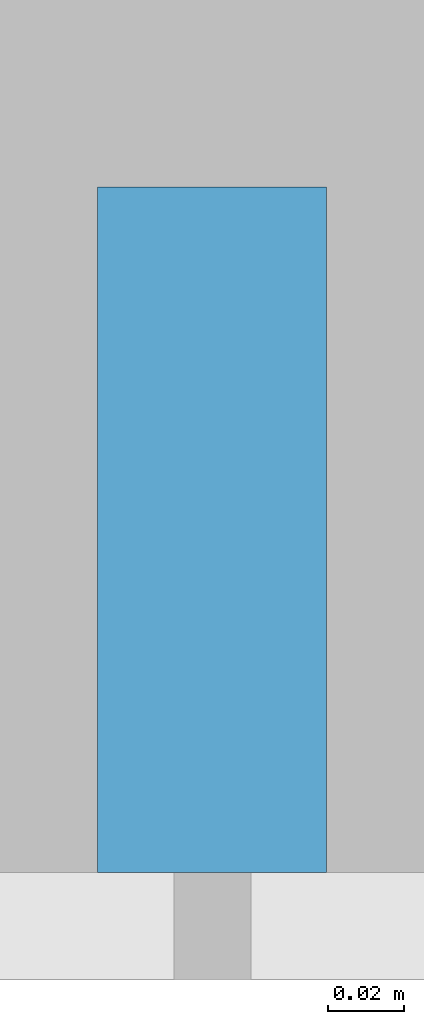
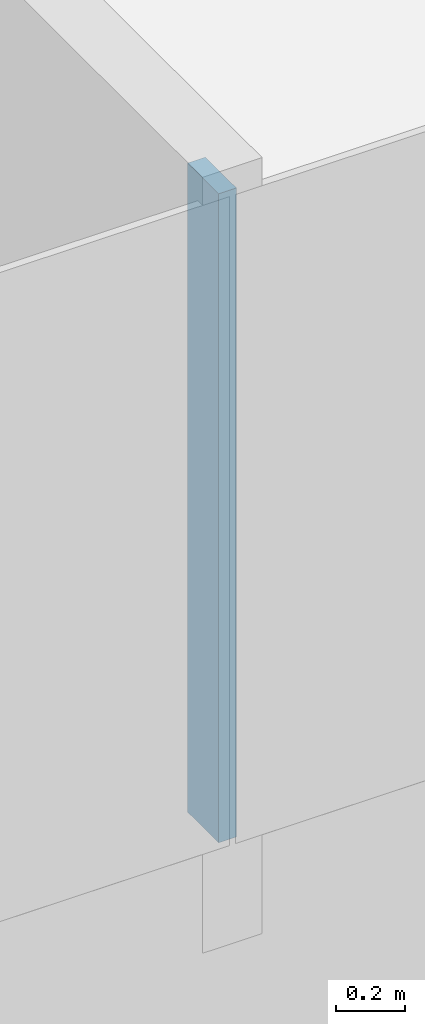
# One storey, part 5 of 26: 1 member, 1 element without a shape of its own.
"""IFC4 building model written with IfcOpenShell, lengths in metres."""

import ifcopenshell
import ifcopenshell.guid

model = None  # the IFC model being written
_history = None  # IfcOwnerHistory: only IFC2X3 demands one
_inside = {}  # id of a spatial element -> (the spatial element, [elements in it])
_under = {}  # id of a project, library or spatial element -> (it, [spatial elements below it])
_declared = {}  # id of a project -> (the project, [libraries it declares])
_typed = {}  # id of a type object -> (the type object, [elements of that type])
_made_of = {}  # id of a material, layer set ... -> (it, [elements and type objects made of it])


def new_model(schema):
    """Start an empty IFC model of exactly this schema.

    Asked for "IFC4X3", IfcOpenShell would pick the latest addendum, in which some entities
    have other attributes; the version numbers below select the first issue.
    IFC2X3 requires an IfcOwnerHistory on every rooted entity: one is made here for all.
    """
    global model, _history
    if schema == "IFC4X3":
        model = ifcopenshell.file(schema_version=(4, 3, 0, 0))
    else:
        model = ifcopenshell.file(schema=schema)
    _inside.clear()
    _under.clear()
    _declared.clear()
    _typed.clear()
    _made_of.clear()
    _history = None
    if model.schema == "IFC2X3":
        org = make("IfcOrganization", Name="unknown")
        user = make(
            "IfcPersonAndOrganization",
            ThePerson=make("IfcPerson", FamilyName="unknown"),
            TheOrganization=org,
        )
        app = make(
            "IfcApplication",
            ApplicationDeveloper=org,
            Version="unknown",
            ApplicationFullName="unknown",
            ApplicationIdentifier="unknown",
        )
        _history = make(
            "IfcOwnerHistory",
            OwningUser=user,
            OwningApplication=app,
            ChangeAction="ADDED",
            CreationDate=0,
        )
    return model


def make(cls, **values):
    """One entity of the class cls with the attributes given. An attribute that is None is left unset."""
    return model.create_entity(
        cls, **{name: value for name, value in values.items() if value is not None}
    )


def rooted(cls, **values):
    """An entity with a GlobalId (a new one), such as an element, a storey or a relation."""
    return make(cls, GlobalId=ifcopenshell.guid.new(), OwnerHistory=_history, **values)


def si_unit(unit_type, name, prefix=None):
    """IfcSIUnit, for example si_unit("LENGTHUNIT", "METRE", prefix="MILLI")."""
    return make("IfcSIUnit", UnitType=unit_type, Prefix=prefix, Name=name)


def assignment(units):
    """IfcUnitAssignment: the units of a project."""
    return None if units is None else make("IfcUnitAssignment", Units=units)


def point(xyz):
    """IfcCartesianPoint."""
    return None if xyz is None else make("IfcCartesianPoint", Coordinates=xyz)


def direction(xyz):
    """IfcDirection."""
    return None if xyz is None else make("IfcDirection", DirectionRatios=xyz)


def frame(location, z_axis=None, x_axis=None):
    """IfcAxis2Placement3D, a coordinate frame: its origin and axes. An axis left out is left unset."""
    return make(
        "IfcAxis2Placement3D",
        Location=point(location),
        Axis=direction(z_axis),
        RefDirection=direction(x_axis),
    )


def frame_2d(location, x_axis=None):
    """IfcAxis2Placement2D, a coordinate frame in the plane: its origin and x axis."""
    return make(
        "IfcAxis2Placement2D", Location=point(location), RefDirection=direction(x_axis)
    )


def origin():
    """The frame at (0, 0, 0) with its axes left unset."""
    return frame((0.0, 0.0, 0.0))


def origin_2d():
    """The frame at (0, 0) in the plane with its x axis left unset."""
    return frame_2d((0.0, 0.0))


def place(relative_to, where):
    """IfcLocalPlacement: puts the frame where relative to a parent placement (None: the world)."""
    return make(
        "IfcLocalPlacement", PlacementRelTo=relative_to, RelativePlacement=where
    )


def context(
    kind, dimensions, precision=None, world=None, true_north=None, identifier=None
):
    """IfcGeometricRepresentationContext, for example the 3D "Model" context."""
    return make(
        "IfcGeometricRepresentationContext",
        ContextIdentifier=identifier,
        ContextType=kind,
        CoordinateSpaceDimension=dimensions,
        Precision=precision,
        WorldCoordinateSystem=world,
        TrueNorth=true_north,
    )


def subcontext(parent, identifier, kind, view, scale=None):
    """IfcGeometricRepresentationSubContext, for example "Body" below "Model"."""
    return make(
        "IfcGeometricRepresentationSubContext",
        ContextIdentifier=identifier,
        ContextType=kind,
        ParentContext=parent,
        TargetScale=scale,
        TargetView=view,
    )


def project(units=None, contexts=None):
    """IfcProject with its units and contexts."""
    return rooted(
        "IfcProject",
        Name="project",
        RepresentationContexts=contexts,
        UnitsInContext=assignment(units),
    )


def spatial(cls, under=None, at=None, **own):
    """A site, building, storey or space (cls), placed at a placement, below another one or the project."""
    s = rooted(cls, ObjectPlacement=at, **own)
    if under is not None:
        _under.setdefault(under.id(), (under, []))[1].append(s)
    return s


def profile(cls, at=None, kind="AREA", **sizes):
    """A parametric profile (cls). Its sizes go by their IFC names, for example OverallWidth=200.0."""
    return make(cls, ProfileType=kind, Position=at, **sizes)


def rectangle(**sizes):
    """IfcRectangleProfileDef."""
    return profile("IfcRectangleProfileDef", **sizes)


def extrude(swept, where, along, depth):
    """IfcExtrudedAreaSolid: the profile swept, set in the frame where, extruded along a direction by depth."""
    return make(
        "IfcExtrudedAreaSolid",
        SweptArea=swept,
        Position=where,
        ExtrudedDirection=direction(along),
        Depth=depth,
    )


def shape(context_of_items, identifier, shape_type, items):
    """IfcShapeRepresentation: the items that make up one representation, for example the "Body"."""
    return make(
        "IfcShapeRepresentation",
        ContextOfItems=context_of_items,
        RepresentationIdentifier=identifier,
        RepresentationType=shape_type,
        Items=items,
    )


def material(Name=None, Category=None):
    """IfcMaterial."""
    return make("IfcMaterial", Name=Name, Category=Category)


def layer(
    of_material, thickness, ventilated=None, Name=None, Category=None, Priority=None
):
    """IfcMaterialLayer: one layer of a wall or slab, of a material (None: an air gap)."""
    return make(
        "IfcMaterialLayer",
        Material=of_material,
        LayerThickness=thickness,
        IsVentilated=ventilated,
        Name=Name,
        Category=Category,
        Priority=Priority,
    )


def layer_set(layers, Name=None):
    """IfcMaterialLayerSet."""
    return make("IfcMaterialLayerSet", MaterialLayers=layers, LayerSetName=Name)


def material_profile(
    of_material, cross_section, Name=None, Category=None, Priority=None
):
    """IfcMaterialProfile: a cross section and its material."""
    return make(
        "IfcMaterialProfile",
        Name=Name,
        Material=of_material,
        Profile=cross_section,
        Priority=Priority,
        Category=Category,
    )


def profile_set(profiles, Name=None, composite=None):
    """IfcMaterialProfileSet."""
    return make(
        "IfcMaterialProfileSet",
        Name=Name,
        MaterialProfiles=profiles,
        CompositeProfile=composite,
    )


def made_of(thing, what):
    """Note that an element or type object is made of a material, layer set ...; save() writes the relation."""
    if what is not None:
        _made_of.setdefault(what.id(), (what, []))[1].append(thing)
    return thing


def type_object(cls, material=None, **own):
    """A type object (cls), such as IfcWallType, which elements share."""
    return made_of(rooted(cls, **own), material)


def element(
    cls,
    number,
    at=None,
    inside=None,
    cuts=None,
    type_object=None,
    material=None,
    context=None,
    identifier="Body",
    shape_type=None,
    held_by="IfcProductDefinitionShape",
    body=None,
    shapes=None,
    **own,
):
    """One element of the class cls, such as IfcWall. Its Tag is "e" and its number.

    at: its placement. inside: the storey or other place that contains it. cuts: it is an
    opening in that element (IfcRelVoidsElement). A single representation is given by context,
    identifier, shape_type and body (its items); several are given by shapes. held_by: the class
    of the entity that holds the representations. save() writes the other relations.
    """
    e = rooted(cls, Tag="e%d" % number, ObjectPlacement=at, **own)
    if body is not None:
        shapes = [shape(context, identifier, shape_type, body)]
    if shapes is not None:
        e.Representation = make(held_by, Representations=shapes)
    if inside is not None:
        _inside.setdefault(inside.id(), (inside, []))[1].append(e)
    if cuts is not None:
        rooted(
            "IfcRelVoidsElement", RelatingBuildingElement=cuts, RelatedOpeningElement=e
        )
    if type_object is not None:
        _typed.setdefault(type_object.id(), (type_object, []))[1].append(e)
    return made_of(e, material)


def aggregate(whole, parts):
    """IfcRelAggregates: a whole, such as a stair, and the parts it consists of."""
    return rooted("IfcRelAggregates", RelatingObject=whole, RelatedObjects=parts)


def save(model, path):
    """Write the relations noted so far, then the file.

    IfcRelAggregates (storeys below a building ...), IfcRelContainedInSpatialStructure (elements
    in a storey), IfcRelDefinesByType, IfcRelAssociatesMaterial and IfcRelDeclares: one each for
    every whole, place, type object, material and project.
    """
    for whole, parts in _under.values():
        aggregate(whole, parts)
    for where, things in _inside.values():
        rooted(
            "IfcRelContainedInSpatialStructure",
            RelatedElements=things,
            RelatingStructure=where,
        )
    for kind, things in _typed.values():
        rooted("IfcRelDefinesByType", RelatedObjects=things, RelatingType=kind)
    for what, things in _made_of.values():
        rooted("IfcRelAssociatesMaterial", RelatedObjects=things, RelatingMaterial=what)
    for by, libraries in _declared.values():
        rooted("IfcRelDeclares", RelatingContext=by, RelatedDefinitions=libraries)
    model.write(path)


model = new_model("IFC4")

# Units and contexts
model_context = context("Model", 3, precision=1e-05, world=origin(), true_north=direction((0.0, 1.0)))
body_context = subcontext(model_context, "Body", "Model", "MODEL_VIEW")
ifc_project = project(units=[si_unit("LENGTHUNIT", "METRE"), si_unit("AREAUNIT", "SQUARE_METRE"), si_unit("VOLUMEUNIT", "CUBIC_METRE"), si_unit("PLANEANGLEUNIT", "RADIAN"), si_unit("MASSUNIT", "GRAM", prefix="KILO")], contexts=[model_context])

# Site, building, storey
site_placement = place(None, origin())
site = spatial("IfcSite", under=ifc_project, at=site_placement, CompositionType="ELEMENT")
building_placement = place(site_placement, origin())
building = spatial("IfcBuilding", under=site, at=building_placement, Name="Hakoniwa Tower and Hamabe Station Hall", CompositionType="ELEMENT")
storey_placement = place(building_placement, frame((0.0, 0.0, 159.800048828125)))
storey = spatial("IfcBuildingStorey", under=building, at=storey_placement, Name="L45", CompositionType="ELEMENT", Elevation=159.800048828125)

# Curtain wall, member
ifc_material_1 = material(Name="Dark low-e laminated glass", Category="glass")
ifc_layer = layer(ifc_material_1, 0.199951171875)
ifc_layer_set = layer_set([ifc_layer], Name="CW-1 UNITISED GUEST")
curtain_wall_type = type_object("IfcCurtainWallType", Name="CW-1 UNITISED GUEST", PredefinedType="NOTDEFINED", material=ifc_layer_set)
curtain_wall_placement = place(storey_placement, origin())
curtain_wall = element("IfcCurtainWall", 1, at=curtain_wall_placement, inside=storey, type_object=curtain_wall_type, Name="CW-1 curtain wall", PredefinedType="NOTDEFINED")
ifc_material_2 = material(Name="Aluminium 6063-T5 black anodised", Category="aluminium")
ifc_material_profile = material_profile(ifc_material_2, rectangle(XDim=0.06005859375, YDim=0.179931640625, at=origin_2d()), Name="CW-1 MULLION 60X180")
ifc_profile_set = profile_set([ifc_material_profile], Name="Aluminium 6063-T5 black anodised")
member_type = type_object("IfcMemberType", Name="CW-1 MULLION 60X180", PredefinedType="MULLION", material=ifc_profile_set)
member_placement = place(storey_placement, frame((8.39990234375, -19.181884765625, 0.349853515625), z_axis=(0.0, 0.0, 1.0), x_axis=(1.0, 0.0, 0.0)))
member = element("IfcMember", 2, at=member_placement, type_object=member_type, Name="CW-1 mullion", PredefinedType="MULLION", context=body_context, shape_type="SweptSolid", body=[
    extrude(rectangle(XDim=0.06005859375, YDim=0.179931640625, at=origin_2d()), origin(), (0.0, 0.0, 1.0), 2.300048828125),
])
aggregate(curtain_wall, [member])

save(model, "model.ifc")
